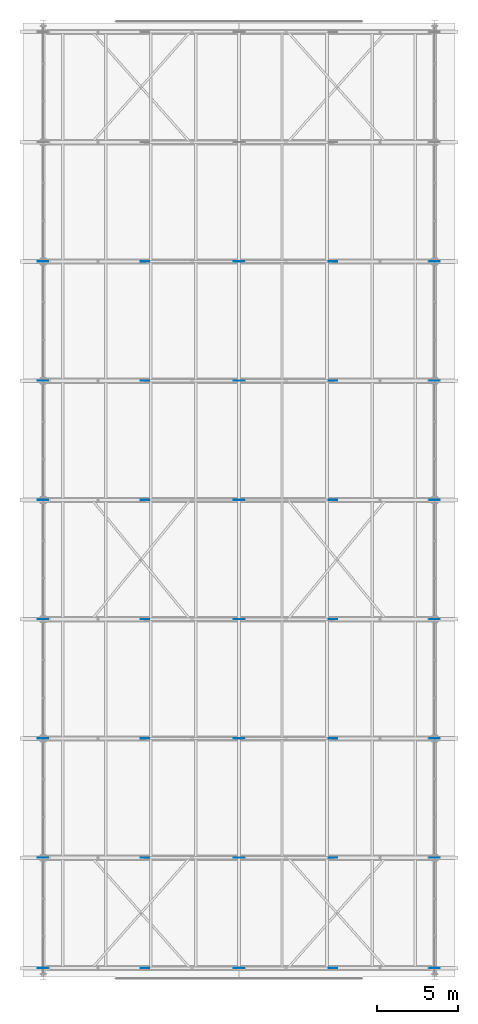
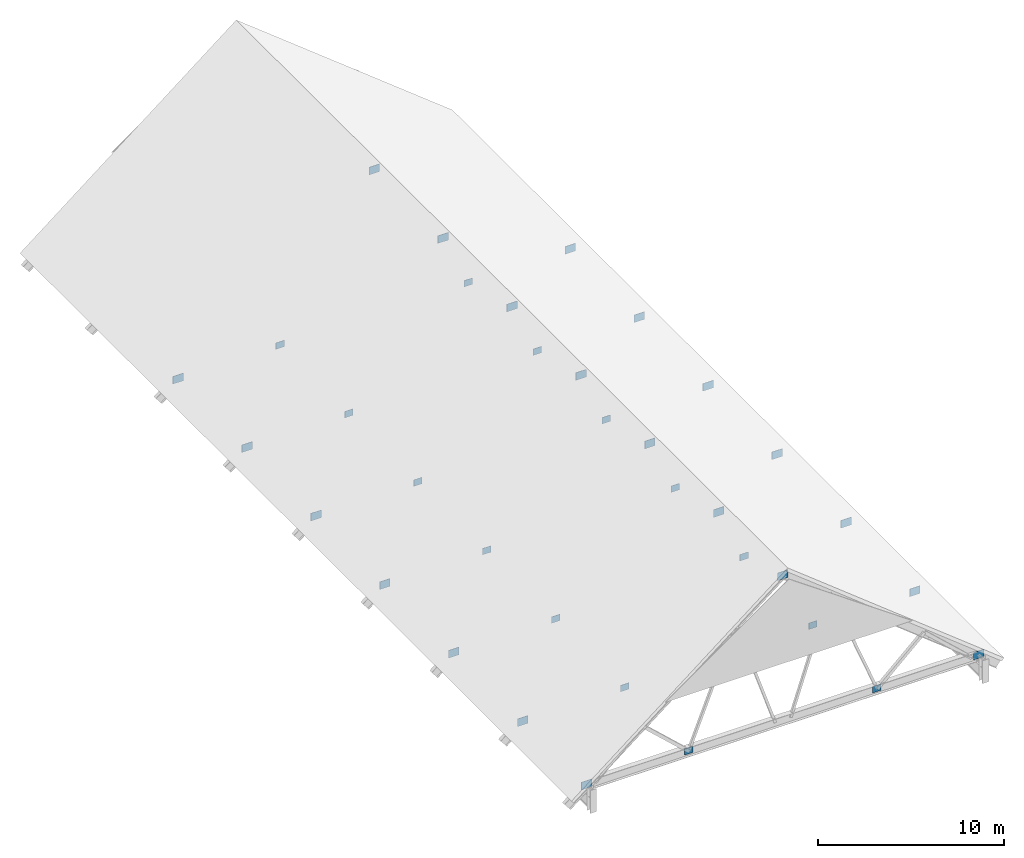
# One storey, part 42 of 44: 35 plates.
"""IFC4 building model written with IfcOpenShell, lengths in metres."""

from ifc_helpers import new_model, si_unit, direction, frame, origin, origin_2d, place, context, subcontext, project, spatial, rectangle, extrude, material, layer, layer_set, type_object, element, save


model = new_model("IFC4")

# Units and contexts
model_context = context("Model", 3, precision=1e-05, world=origin(), true_north=direction((0.0, 1.0)))
body_context = subcontext(model_context, "Body", "Model", "MODEL_VIEW")
ifc_project = project(units=[si_unit("LENGTHUNIT", "METRE"), si_unit("AREAUNIT", "SQUARE_METRE"), si_unit("VOLUMEUNIT", "CUBIC_METRE"), si_unit("PLANEANGLEUNIT", "RADIAN"), si_unit("MASSUNIT", "GRAM", prefix="KILO")], contexts=[model_context])

# Site, building, storey
site_placement = place(None, origin())
site = spatial("IfcSite", under=ifc_project, at=site_placement, CompositionType="ELEMENT")
building_placement = place(site_placement, origin())
building = spatial("IfcBuilding", under=site, at=building_placement, Name="Cimatlan Art Gallery", CompositionType="ELEMENT")
storey_placement = place(building_placement, frame((0.0, 0.0, 26.39990234375)))
storey = spatial("IfcBuildingStorey", under=building, at=storey_placement, Name="Roof", CompositionType="ELEMENT", Elevation=26.39990234375)

# Plates
ifc_material = material(Name="Steel ASTM A572 Grade 50", Category="steel")
ifc_layer_1 = layer(ifc_material, 0.02001953125)
ifc_layer_set_1 = layer_set([ifc_layer_1], Name="Steel ASTM A572 Grade 50")
plate_type_1 = type_object("IfcPlateType", Name="PLT-GUS-20", PredefinedType="USERDEFINED", material=ifc_layer_set_1)
for number, where, z_axis, x_axis, name in (
    (1, (81.218017578125, 24.449951171875, 1.190185546875), (0.0, 0.0, 1.0), (1.0, 0.0, 0.0), "GUS-01-2"),
    (2, (92.882080078125, 24.449951171875, 1.190185546875), (0.0, 0.0, 1.0), (1.0, 0.0, 0.0), "GUS-01-4"),
    (3, (81.218017578125, 31.300048828125, 1.190185546875), (0.0, 0.0, 1.0), (1.0, 0.0, 0.0), "GUS-02-2"),
    (4, (92.882080078125, 31.300048828125, 1.190185546875), (0.0, 0.0, 1.0), (1.0, 0.0, 0.0), "GUS-02-4"),
    (5, (81.218017578125, 38.699951171875, 1.190185546875), (0.0, 0.0, 1.0), (1.0, 0.0, 0.0), "GUS-03-2"),
    (6, (92.882080078125, 38.699951171875, 1.190185546875), (0.0, 0.0, 1.0), (1.0, 0.0, 0.0), "GUS-03-4"),
    (7, (81.218017578125, 46.10009765625, 1.190185546875), (0.0, 0.0, 1.0), (1.0, 0.0, 0.0), "GUS-04-2"),
    (8, (92.882080078125, 46.10009765625, 1.190185546875), (0.0, 0.0, 1.0), (1.0, 0.0, 0.0), "GUS-04-4"),
    (9, (81.218017578125, 53.5, 1.190185546875), (0.0, 0.0, 1.0), (1.0, 0.0, 0.0), "GUS-05-2"),
    (10, (92.882080078125, 53.5, 1.190185546875), (0.0, 0.0, 1.0), (1.0, 0.0, 0.0), "GUS-05-4"),
    (11, (81.218017578125, 60.89990234375, 1.190185546875), (0.0, 0.0, 1.0), (1.0, 0.0, 0.0), "GUS-06-2"),
    (12, (92.882080078125, 60.89990234375, 1.190185546875), (0.0, 0.0, 1.0), (1.0, 0.0, 0.0), "GUS-06-4"),
    (13, (81.218017578125, 68.300048828125, 1.190185546875), (0.0, 0.0, 1.0), (1.0, 0.0, 0.0), "GUS-07-2"),
    (14, (92.882080078125, 68.300048828125, 1.190185546875), (0.0, 0.0, 1.0), (1.0, 0.0, 0.0), "GUS-07-4"),
):
    element("IfcPlate", number, at=place(storey_placement, frame(where, z_axis=z_axis, x_axis=x_axis)), inside=storey, type_object=plate_type_1, Name=name, ObjectType="GUSSET_PLATE", PredefinedType="USERDEFINED", context=body_context, shape_type="SweptSolid", body=[
        extrude(rectangle(XDim=0.52001953125, YDim=0.02001953125, at=origin_2d()), origin(), (0.0, 0.0, 1.0), 0.419921875),
    ])
ifc_layer_2 = layer(ifc_material, 0.02490234375)
ifc_layer_set_2 = layer_set([ifc_layer_2], Name="Steel ASTM A572 Grade 50")
plate_type_2 = type_object("IfcPlateType", Name="PLT-GUS-25", PredefinedType="USERDEFINED", material=ifc_layer_set_2)
for number, where, z_axis, x_axis, name in (
    (15, (74.89990234375, 24.449951171875, 1.150146484375), (0.0, 0.0, 1.0), (1.0, 0.0, 0.0), "GUS-01-1"),
    (16, (87.050048828125, 24.449951171875, 10.60009765625), (0.0, 0.0, 1.0), (1.0, 0.0, 0.0), "GUS-01-3"),
    (17, (99.199951171875, 24.449951171875, 1.150146484375), (0.0, 0.0, 1.0), (1.0, 0.0, 0.0), "GUS-01-5"),
    (18, (74.89990234375, 31.300048828125, 1.150146484375), (0.0, 0.0, 1.0), (1.0, 0.0, 0.0), "GUS-02-1"),
    (19, (87.050048828125, 31.300048828125, 10.60009765625), (0.0, 0.0, 1.0), (1.0, 0.0, 0.0), "GUS-02-3"),
    (20, (99.199951171875, 31.300048828125, 1.150146484375), (0.0, 0.0, 1.0), (1.0, 0.0, 0.0), "GUS-02-5"),
    (21, (74.89990234375, 38.699951171875, 1.150146484375), (0.0, 0.0, 1.0), (1.0, 0.0, 0.0), "GUS-03-1"),
    (22, (87.050048828125, 38.699951171875, 10.60009765625), (0.0, 0.0, 1.0), (1.0, 0.0, 0.0), "GUS-03-3"),
    (23, (99.199951171875, 38.699951171875, 1.150146484375), (0.0, 0.0, 1.0), (1.0, 0.0, 0.0), "GUS-03-5"),
    (24, (74.89990234375, 46.10009765625, 1.150146484375), (0.0, 0.0, 1.0), (1.0, 0.0, 0.0), "GUS-04-1"),
    (25, (87.050048828125, 46.10009765625, 10.60009765625), (0.0, 0.0, 1.0), (1.0, 0.0, 0.0), "GUS-04-3"),
    (26, (99.199951171875, 46.10009765625, 1.150146484375), (0.0, 0.0, 1.0), (1.0, 0.0, 0.0), "GUS-04-5"),
    (27, (74.89990234375, 53.5, 1.150146484375), (0.0, 0.0, 1.0), (1.0, 0.0, 0.0), "GUS-05-1"),
    (28, (87.050048828125, 53.5, 10.60009765625), (0.0, 0.0, 1.0), (1.0, 0.0, 0.0), "GUS-05-3"),
    (29, (99.199951171875, 53.5, 1.150146484375), (0.0, 0.0, 1.0), (1.0, 0.0, 0.0), "GUS-05-5"),
    (30, (74.89990234375, 60.89990234375, 1.150146484375), (0.0, 0.0, 1.0), (1.0, 0.0, 0.0), "GUS-06-1"),
    (31, (87.050048828125, 60.89990234375, 10.60009765625), (0.0, 0.0, 1.0), (1.0, 0.0, 0.0), "GUS-06-3"),
    (32, (99.199951171875, 60.89990234375, 1.150146484375), (0.0, 0.0, 1.0), (1.0, 0.0, 0.0), "GUS-06-5"),
    (33, (74.89990234375, 68.300048828125, 1.150146484375), (0.0, 0.0, 1.0), (1.0, 0.0, 0.0), "GUS-07-1"),
    (34, (87.050048828125, 68.300048828125, 10.60009765625), (0.0, 0.0, 1.0), (1.0, 0.0, 0.0), "GUS-07-3"),
    (35, (99.199951171875, 68.300048828125, 1.150146484375), (0.0, 0.0, 1.0), (1.0, 0.0, 0.0), "GUS-07-5"),
):
    element("IfcPlate", number, at=place(storey_placement, frame(where, z_axis=z_axis, x_axis=x_axis)), inside=storey, type_object=plate_type_2, Name=name, ObjectType="GUSSET_PLATE", PredefinedType="USERDEFINED", context=body_context, shape_type="SweptSolid", body=[
        extrude(rectangle(XDim=0.64990234375, YDim=0.02490234375, at=origin_2d()), origin(), (0.0, 0.0, 1.0), 0.5),
    ])

save(model, "model.ifc")
